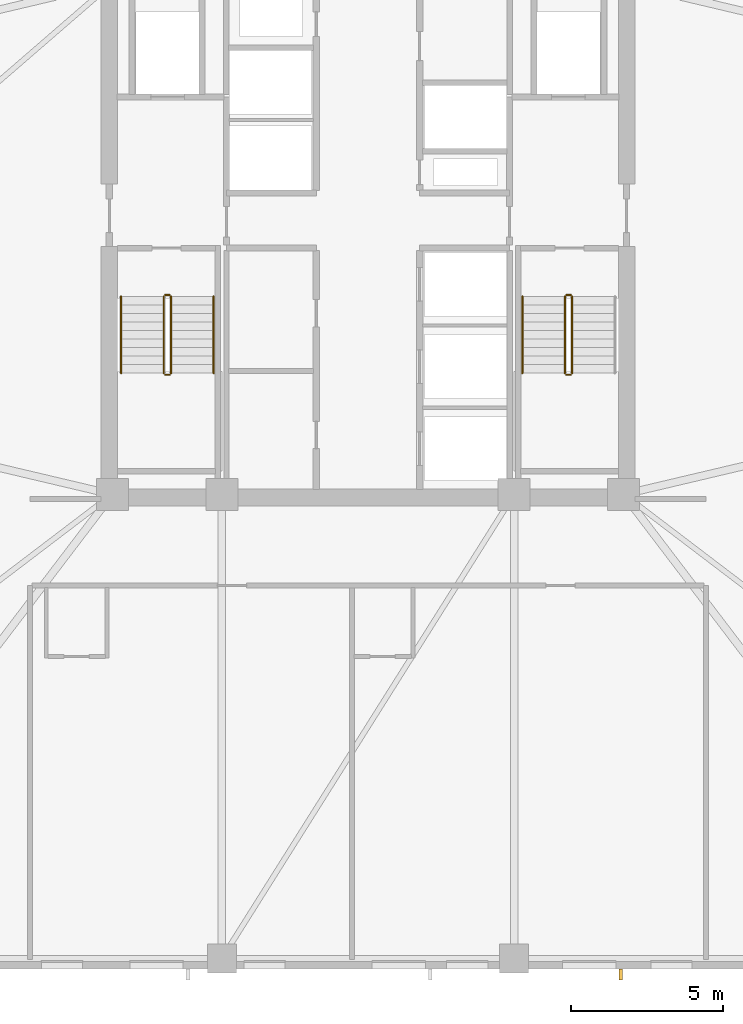
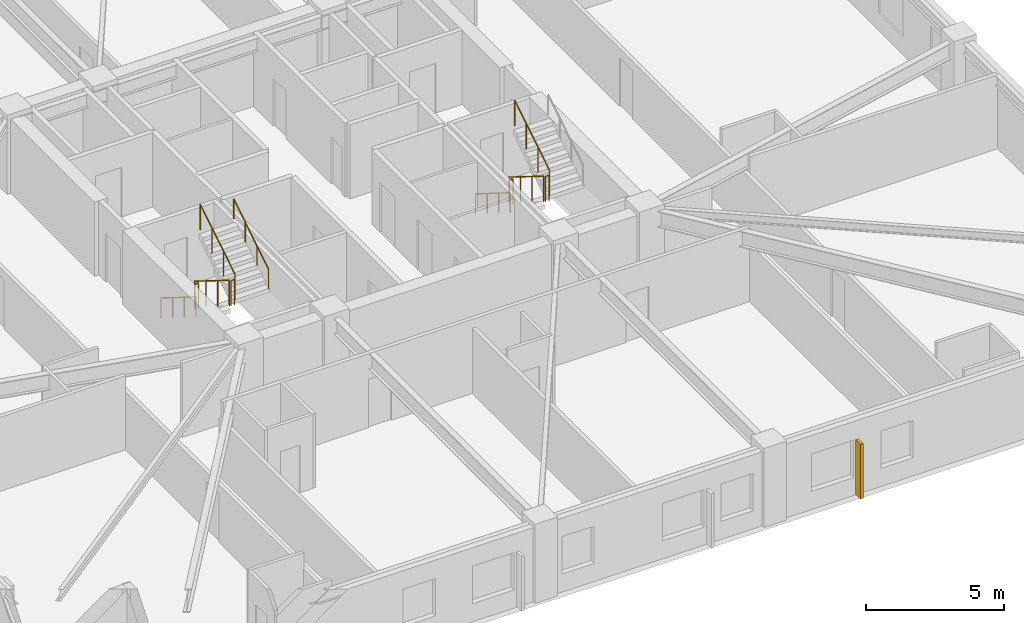
# One storey, part 7 of 10: 11 railings, 1 shading device.
"""IFC4 building model written with IfcOpenShell, lengths in metres."""

from ifc_helpers import new_model, si_unit, direction, frame, origin, origin_2d, place, context, subcontext, project, spatial, rectangle, circle, extrude, material, type_object, element, save


model = new_model("IFC4")

# Units and contexts
model_context = context("Model", 3, precision=1e-05, world=origin(), true_north=direction((0.0, 1.0)))
body_context = subcontext(model_context, "Body", "Model", "MODEL_VIEW")
ifc_project = project(units=[si_unit("LENGTHUNIT", "METRE"), si_unit("AREAUNIT", "SQUARE_METRE"), si_unit("VOLUMEUNIT", "CUBIC_METRE"), si_unit("PLANEANGLEUNIT", "RADIAN"), si_unit("MASSUNIT", "GRAM", prefix="KILO")], contexts=[model_context])

# Site, building, storey
site_placement = place(None, origin())
site = spatial("IfcSite", under=ifc_project, at=site_placement, CompositionType="ELEMENT")
building_placement = place(site_placement, origin())
building = spatial("IfcBuilding", under=site, at=building_placement, Name="Cairnveth Concourse Tower", CompositionType="ELEMENT")
storey_placement = place(building_placement, frame((0.0, 0.0, 109.5)))
storey = spatial("IfcBuildingStorey", under=building, at=storey_placement, Name="L29", CompositionType="ELEMENT", Elevation=109.5)

# Shading device
ifc_material_1 = material(Name="Architectural Bronze Anodised Aluminium 6063-T6", Category="aluminium")
shading_device_type = type_object("IfcShadingDeviceType", Name="GOTHIC BRONZE VERTICAL LANCET FIN", PredefinedType="USERDEFINED", material=ifc_material_1)
shading_device_placement = place(storey_placement, frame((60.301025390625, 14.824951171875, 0.030029296875), z_axis=(0.0, 0.0, 1.0), x_axis=(1.0, 0.0, 0.0)))
element("IfcShadingDevice", 1, at=shading_device_placement, inside=storey, type_object=shading_device_type, Name="Gothic Bronze Vertical Fin L29-9-3", ObjectType="VERTICAL FIN", PredefinedType="USERDEFINED", context=body_context, shape_type="SweptSolid", body=[
    extrude(rectangle(XDim=0.1201171875, YDim=0.360107421875, at=origin_2d()), origin(), (0.0, 0.0, 1.0), 2.419921875),
])

# Railings
ifc_material_2 = material(Name="Steel Grade 350", Category="steel")
railing_type_1 = type_object("IfcRailingType", Name="STAIR GUARDRAIL 1150", PredefinedType="GUARDRAIL", material=ifc_material_2)
railing_1_placement = place(storey_placement, frame((45.2900390625, 37.10009765625, 0.175048828125)))
element("IfcRailing", 2, at=railing_1_placement, inside=storey, type_object=railing_type_1, Name="L29 ST-1 stair guard 1", PredefinedType="GUARDRAIL", context=body_context, shape_type="SweptSolid", body=[
    extrude(circle(Radius=0.02392578125, at=origin_2d()), frame((0.0, 0.0, 1.1259765625), z_axis=(0.0, -0.848007534815, 0.529984170421), x_axis=(1.0, 0.0, 0.0)), (0.0, 0.0, 1.0), 2.9716796875),
    extrude(circle(Radius=0.02099609375, at=origin_2d()), origin(), (0.0, 0.0, 1.0), 1.101806640625),
    extrude(circle(Radius=0.02099609375, at=origin_2d()), frame((0.0, -0.840087890625, 0.52490234375)), (0.0, 0.0, 1.0), 1.101806640625),
    extrude(circle(Radius=0.02099609375, at=origin_2d()), frame((0.0, -1.679931640625, 1.050048828125)), (0.0, 0.0, 1.0), 1.101806640625),
    extrude(circle(Radius=0.02099609375, at=origin_2d()), frame((0.0, -2.52001953125, 1.574951171875)), (0.0, 0.0, 1.0), 1.101806640625),
])
railing_2_placement = place(storey_placement, frame((45.340087890625, 34.530029296875, 1.75)))
element("IfcRailing", 3, at=railing_2_placement, inside=storey, type_object=railing_type_1, Name="L29 ST-1 stair guard 2", PredefinedType="GUARDRAIL", context=body_context, shape_type="SweptSolid", body=[
    extrude(circle(Radius=0.02392578125, at=origin_2d()), frame((0.0, 0.0, 1.1259765625), z_axis=(1.0, 0.0, 0.0), x_axis=(0.0, 1.0, 0.0)), (0.0, 0.0, 1.0), 0.139892578125),
    extrude(circle(Radius=0.02099609375, at=origin_2d()), origin(), (0.0, 0.0, 1.0), 1.101806640625),
    extrude(circle(Radius=0.02099609375, at=origin_2d()), frame((0.139892578125, 0.0, 0.0)), (0.0, 0.0, 1.0), 1.101806640625),
])
railing_3_placement = place(storey_placement, frame((45.530029296875, 34.580078125, 1.925048828125)))
element("IfcRailing", 4, at=railing_3_placement, inside=storey, type_object=railing_type_1, Name="L29 ST-1 stair guard 3", PredefinedType="GUARDRAIL", context=body_context, shape_type="SweptSolid", body=[
    extrude(circle(Radius=0.02392578125, at=origin_2d()), frame((0.0, 0.0, 1.1259765625), z_axis=(0.0, 0.848007534815, 0.529984170421), x_axis=(-1.0, 0.0, 0.0)), (0.0, 0.0, 1.0), 2.9716796875),
    extrude(circle(Radius=0.02099609375, at=origin_2d()), origin(), (0.0, 0.0, 1.0), 1.101806640625),
    extrude(circle(Radius=0.02099609375, at=origin_2d()), frame((0.0, 0.840087890625, 0.52490234375)), (0.0, 0.0, 1.0), 1.101806640625),
    extrude(circle(Radius=0.02099609375, at=origin_2d()), frame((0.0, 1.679931640625, 1.050048828125)), (0.0, 0.0, 1.0), 1.101806640625),
    extrude(circle(Radius=0.02099609375, at=origin_2d()), frame((0.0, 2.52001953125, 1.574951171875)), (0.0, 0.0, 1.0), 1.101806640625),
])
railing_4_placement = place(storey_placement, frame((45.340087890625, 37.14990234375, 0.0)))
element("IfcRailing", 5, at=railing_4_placement, inside=storey, type_object=railing_type_1, Name="L29 ST-1 stair guard 4", PredefinedType="GUARDRAIL", context=body_context, shape_type="SweptSolid", body=[
    extrude(circle(Radius=0.02392578125, at=origin_2d()), frame((0.0, 0.0, 1.1259765625), z_axis=(1.0, 0.0, 0.0), x_axis=(0.0, 1.0, 0.0)), (0.0, 0.0, 1.0), 0.139892578125),
    extrude(circle(Radius=0.02099609375, at=origin_2d()), origin(), (0.0, 0.0, 1.0), 1.101806640625),
    extrude(circle(Radius=0.02099609375, at=origin_2d()), frame((0.139892578125, 0.0, 0.0)), (0.0, 0.0, 1.0), 1.101806640625),
])
railing_5_placement = place(storey_placement, frame((58.469970703125, 37.10009765625, 0.175048828125)))
element("IfcRailing", 6, at=railing_5_placement, inside=storey, type_object=railing_type_1, Name="L29 ST-2 stair guard 1", PredefinedType="GUARDRAIL", context=body_context, shape_type="SweptSolid", body=[
    extrude(circle(Radius=0.02392578125, at=origin_2d()), frame((0.0, 0.0, 1.1259765625), z_axis=(0.0, -0.848007534815, 0.529984170421), x_axis=(1.0, 0.0, 0.0)), (0.0, 0.0, 1.0), 2.9716796875),
    extrude(circle(Radius=0.02099609375, at=origin_2d()), origin(), (0.0, 0.0, 1.0), 1.101806640625),
    extrude(circle(Radius=0.02099609375, at=origin_2d()), frame((0.0, -0.840087890625, 0.52490234375)), (0.0, 0.0, 1.0), 1.101806640625),
    extrude(circle(Radius=0.02099609375, at=origin_2d()), frame((0.0, -1.679931640625, 1.050048828125)), (0.0, 0.0, 1.0), 1.101806640625),
    extrude(circle(Radius=0.02099609375, at=origin_2d()), frame((0.0, -2.52001953125, 1.574951171875)), (0.0, 0.0, 1.0), 1.101806640625),
])
railing_6_placement = place(storey_placement, frame((58.52001953125, 34.530029296875, 1.75)))
element("IfcRailing", 7, at=railing_6_placement, inside=storey, type_object=railing_type_1, Name="L29 ST-2 stair guard 2", PredefinedType="GUARDRAIL", context=body_context, shape_type="SweptSolid", body=[
    extrude(circle(Radius=0.02392578125, at=origin_2d()), frame((0.0, 0.0, 1.1259765625), z_axis=(1.0, 0.0, 0.0), x_axis=(0.0, 1.0, 0.0)), (0.0, 0.0, 1.0), 0.139892578125),
    extrude(circle(Radius=0.02099609375, at=origin_2d()), origin(), (0.0, 0.0, 1.0), 1.101806640625),
    extrude(circle(Radius=0.02099609375, at=origin_2d()), frame((0.139892578125, 0.0, 0.0)), (0.0, 0.0, 1.0), 1.101806640625),
])
railing_7_placement = place(storey_placement, frame((58.7099609375, 34.580078125, 1.925048828125)))
element("IfcRailing", 8, at=railing_7_placement, inside=storey, type_object=railing_type_1, Name="L29 ST-2 stair guard 3", PredefinedType="GUARDRAIL", context=body_context, shape_type="SweptSolid", body=[
    extrude(circle(Radius=0.02392578125, at=origin_2d()), frame((0.0, 0.0, 1.1259765625), z_axis=(0.0, 0.848007534815, 0.529984170421), x_axis=(-1.0, 0.0, 0.0)), (0.0, 0.0, 1.0), 2.9716796875),
    extrude(circle(Radius=0.02099609375, at=origin_2d()), origin(), (0.0, 0.0, 1.0), 1.101806640625),
    extrude(circle(Radius=0.02099609375, at=origin_2d()), frame((0.0, 0.840087890625, 0.52490234375)), (0.0, 0.0, 1.0), 1.101806640625),
    extrude(circle(Radius=0.02099609375, at=origin_2d()), frame((0.0, 1.679931640625, 1.050048828125)), (0.0, 0.0, 1.0), 1.101806640625),
    extrude(circle(Radius=0.02099609375, at=origin_2d()), frame((0.0, 2.52001953125, 1.574951171875)), (0.0, 0.0, 1.0), 1.101806640625),
])
railing_8_placement = place(storey_placement, frame((58.52001953125, 37.14990234375, 0.0)))
element("IfcRailing", 9, at=railing_8_placement, inside=storey, type_object=railing_type_1, Name="L29 ST-2 stair guard 4", PredefinedType="GUARDRAIL", context=body_context, shape_type="SweptSolid", body=[
    extrude(circle(Radius=0.02392578125, at=origin_2d()), frame((0.0, 0.0, 1.1259765625), z_axis=(1.0, 0.0, 0.0), x_axis=(0.0, 1.0, 0.0)), (0.0, 0.0, 1.0), 0.139892578125),
    extrude(circle(Radius=0.02099609375, at=origin_2d()), origin(), (0.0, 0.0, 1.0), 1.101806640625),
    extrude(circle(Radius=0.02099609375, at=origin_2d()), frame((0.139892578125, 0.0, 0.0)), (0.0, 0.0, 1.0), 1.101806640625),
])
railing_type_2 = type_object("IfcRailingType", Name="STAIR WALL HANDRAIL 900", PredefinedType="HANDRAIL", material=ifc_material_2)
railing_9_placement = place(storey_placement, frame((43.889892578125, 37.10009765625, 0.175048828125)))
element("IfcRailing", 10, at=railing_9_placement, inside=storey, type_object=railing_type_2, Name="L29 ST-1 stair handrail 1", PredefinedType="HANDRAIL", context=body_context, shape_type="SweptSolid", body=[
    extrude(circle(Radius=0.02392578125, at=origin_2d()), frame((0.0, 0.0, 0.8759765625), z_axis=(0.0, -0.848007534815, 0.529984170421), x_axis=(1.0, 0.0, 0.0)), (0.0, 0.0, 1.0), 2.9716796875),
    extrude(circle(Radius=0.02099609375, at=origin_2d()), origin(), (0.0, 0.0, 1.0), 0.851806640625),
    extrude(circle(Radius=0.02099609375, at=origin_2d()), frame((0.0, -0.840087890625, 0.52490234375)), (0.0, 0.0, 1.0), 0.851806640625),
    extrude(circle(Radius=0.02099609375, at=origin_2d()), frame((0.0, -1.679931640625, 1.050048828125)), (0.0, 0.0, 1.0), 0.851806640625),
    extrude(circle(Radius=0.02099609375, at=origin_2d()), frame((0.0, -2.52001953125, 1.574951171875)), (0.0, 0.0, 1.0), 0.851806640625),
])
railing_10_placement = place(storey_placement, frame((46.929931640625, 34.580078125, 1.925048828125)))
element("IfcRailing", 11, at=railing_10_placement, inside=storey, type_object=railing_type_2, Name="L29 ST-1 stair handrail 2", PredefinedType="HANDRAIL", context=body_context, shape_type="SweptSolid", body=[
    extrude(circle(Radius=0.02392578125, at=origin_2d()), frame((0.0, 0.0, 0.8759765625), z_axis=(0.0, 0.848007534815, 0.529984170421), x_axis=(-1.0, 0.0, 0.0)), (0.0, 0.0, 1.0), 2.9716796875),
    extrude(circle(Radius=0.02099609375, at=origin_2d()), origin(), (0.0, 0.0, 1.0), 0.851806640625),
    extrude(circle(Radius=0.02099609375, at=origin_2d()), frame((0.0, 0.840087890625, 0.52490234375)), (0.0, 0.0, 1.0), 0.851806640625),
    extrude(circle(Radius=0.02099609375, at=origin_2d()), frame((0.0, 1.679931640625, 1.050048828125)), (0.0, 0.0, 1.0), 0.851806640625),
    extrude(circle(Radius=0.02099609375, at=origin_2d()), frame((0.0, 2.52001953125, 1.574951171875)), (0.0, 0.0, 1.0), 0.851806640625),
])
railing_11_placement = place(storey_placement, frame((57.070068359375, 37.10009765625, 0.175048828125)))
element("IfcRailing", 12, at=railing_11_placement, inside=storey, type_object=railing_type_2, Name="L29 ST-2 stair handrail 1", PredefinedType="HANDRAIL", context=body_context, shape_type="SweptSolid", body=[
    extrude(circle(Radius=0.02392578125, at=origin_2d()), frame((0.0, 0.0, 0.8759765625), z_axis=(0.0, -0.848007534815, 0.529984170421), x_axis=(1.0, 0.0, 0.0)), (0.0, 0.0, 1.0), 2.9716796875),
    extrude(circle(Radius=0.02099609375, at=origin_2d()), origin(), (0.0, 0.0, 1.0), 0.851806640625),
    extrude(circle(Radius=0.02099609375, at=origin_2d()), frame((0.0, -0.840087890625, 0.52490234375)), (0.0, 0.0, 1.0), 0.851806640625),
    extrude(circle(Radius=0.02099609375, at=origin_2d()), frame((0.0, -1.679931640625, 1.050048828125)), (0.0, 0.0, 1.0), 0.851806640625),
    extrude(circle(Radius=0.02099609375, at=origin_2d()), frame((0.0, -2.52001953125, 1.574951171875)), (0.0, 0.0, 1.0), 0.851806640625),
])

save(model, "model.ifc")
